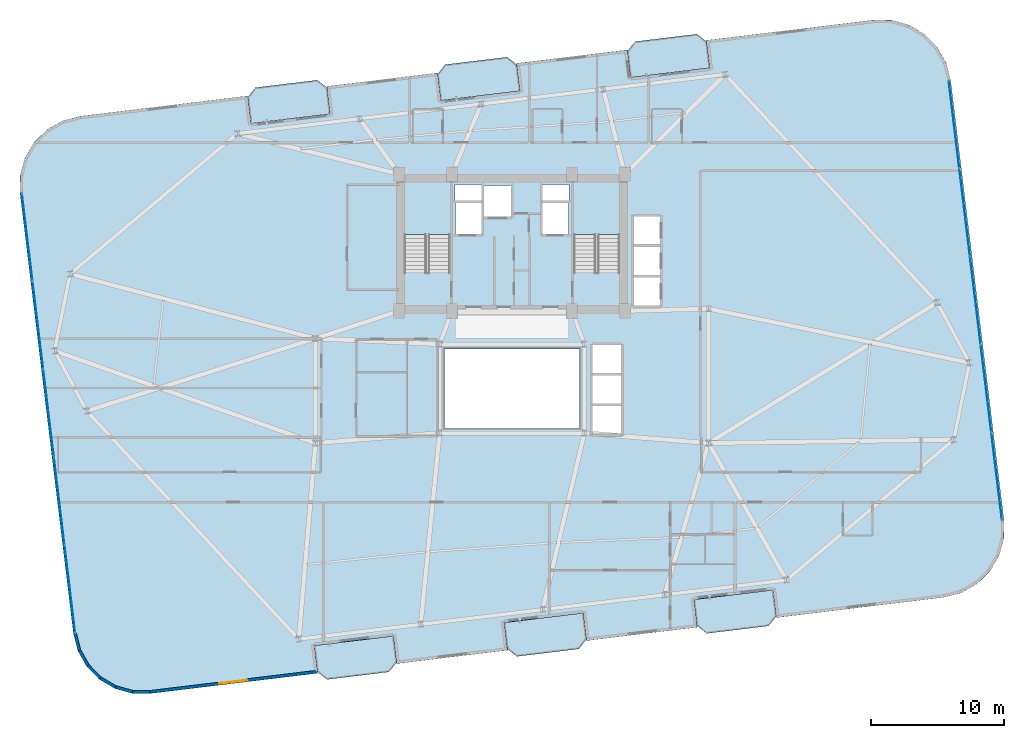
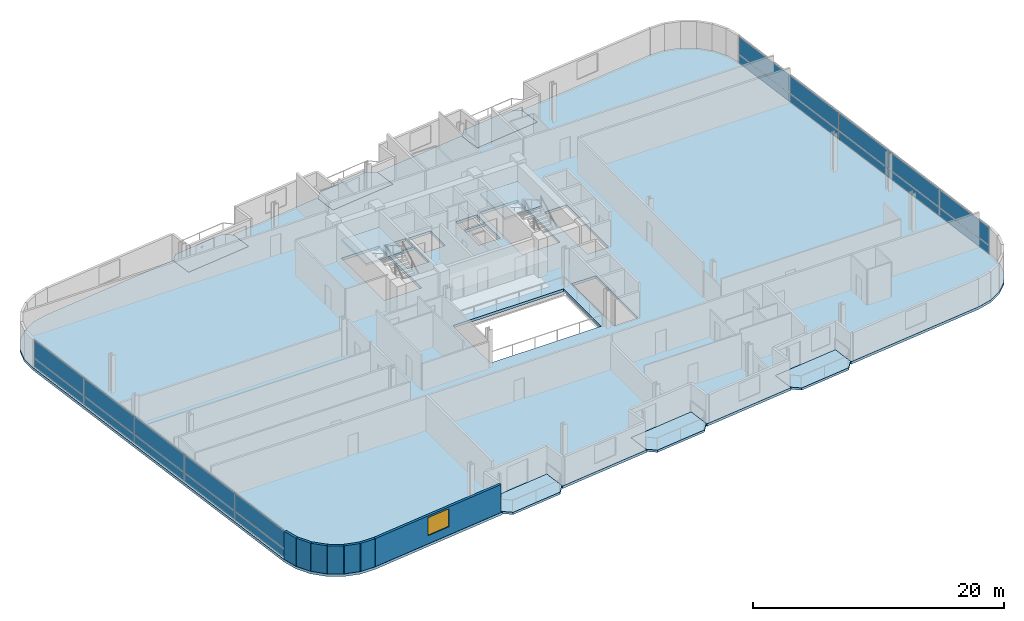
# One storey, part 13 of 22: 20 plates, 9 slabs, 7 walls, 1 window, 1 opening, 4 elements without a shape of their own.
"""IFC4 building model written with IfcOpenShell, lengths in metres."""

import ifcopenshell
import ifcopenshell.guid

model = None  # the IFC model being written
_history = None  # IfcOwnerHistory: only IFC2X3 demands one
_inside = {}  # id of a spatial element -> (the spatial element, [elements in it])
_under = {}  # id of a project, library or spatial element -> (it, [spatial elements below it])
_declared = {}  # id of a project -> (the project, [libraries it declares])
_typed = {}  # id of a type object -> (the type object, [elements of that type])
_made_of = {}  # id of a material, layer set ... -> (it, [elements and type objects made of it])


def new_model(schema):
    """Start an empty IFC model of exactly this schema.

    Asked for "IFC4X3", IfcOpenShell would pick the latest addendum, in which some entities
    have other attributes; the version numbers below select the first issue.
    IFC2X3 requires an IfcOwnerHistory on every rooted entity: one is made here for all.
    """
    global model, _history
    if schema == "IFC4X3":
        model = ifcopenshell.file(schema_version=(4, 3, 0, 0))
    else:
        model = ifcopenshell.file(schema=schema)
    _inside.clear()
    _under.clear()
    _declared.clear()
    _typed.clear()
    _made_of.clear()
    _history = None
    if model.schema == "IFC2X3":
        org = make("IfcOrganization", Name="unknown")
        user = make(
            "IfcPersonAndOrganization",
            ThePerson=make("IfcPerson", FamilyName="unknown"),
            TheOrganization=org,
        )
        app = make(
            "IfcApplication",
            ApplicationDeveloper=org,
            Version="unknown",
            ApplicationFullName="unknown",
            ApplicationIdentifier="unknown",
        )
        _history = make(
            "IfcOwnerHistory",
            OwningUser=user,
            OwningApplication=app,
            ChangeAction="ADDED",
            CreationDate=0,
        )
    return model


def make(cls, **values):
    """One entity of the class cls with the attributes given. An attribute that is None is left unset."""
    return model.create_entity(
        cls, **{name: value for name, value in values.items() if value is not None}
    )


def rooted(cls, **values):
    """An entity with a GlobalId (a new one), such as an element, a storey or a relation."""
    return make(cls, GlobalId=ifcopenshell.guid.new(), OwnerHistory=_history, **values)


def si_unit(unit_type, name, prefix=None):
    """IfcSIUnit, for example si_unit("LENGTHUNIT", "METRE", prefix="MILLI")."""
    return make("IfcSIUnit", UnitType=unit_type, Prefix=prefix, Name=name)


def assignment(units):
    """IfcUnitAssignment: the units of a project."""
    return None if units is None else make("IfcUnitAssignment", Units=units)


def point(xyz):
    """IfcCartesianPoint."""
    return None if xyz is None else make("IfcCartesianPoint", Coordinates=xyz)


def direction(xyz):
    """IfcDirection."""
    return None if xyz is None else make("IfcDirection", DirectionRatios=xyz)


def frame(location, z_axis=None, x_axis=None):
    """IfcAxis2Placement3D, a coordinate frame: its origin and axes. An axis left out is left unset."""
    return make(
        "IfcAxis2Placement3D",
        Location=point(location),
        Axis=direction(z_axis),
        RefDirection=direction(x_axis),
    )


def frame_2d(location, x_axis=None):
    """IfcAxis2Placement2D, a coordinate frame in the plane: its origin and x axis."""
    return make(
        "IfcAxis2Placement2D", Location=point(location), RefDirection=direction(x_axis)
    )


def origin():
    """The frame at (0, 0, 0) with its axes left unset."""
    return frame((0.0, 0.0, 0.0))


def origin_2d():
    """The frame at (0, 0) in the plane with its x axis left unset."""
    return frame_2d((0.0, 0.0))


def place(relative_to, where):
    """IfcLocalPlacement: puts the frame where relative to a parent placement (None: the world)."""
    return make(
        "IfcLocalPlacement", PlacementRelTo=relative_to, RelativePlacement=where
    )


def context(
    kind, dimensions, precision=None, world=None, true_north=None, identifier=None
):
    """IfcGeometricRepresentationContext, for example the 3D "Model" context."""
    return make(
        "IfcGeometricRepresentationContext",
        ContextIdentifier=identifier,
        ContextType=kind,
        CoordinateSpaceDimension=dimensions,
        Precision=precision,
        WorldCoordinateSystem=world,
        TrueNorth=true_north,
    )


def subcontext(parent, identifier, kind, view, scale=None):
    """IfcGeometricRepresentationSubContext, for example "Body" below "Model"."""
    return make(
        "IfcGeometricRepresentationSubContext",
        ContextIdentifier=identifier,
        ContextType=kind,
        ParentContext=parent,
        TargetScale=scale,
        TargetView=view,
    )


def project(units=None, contexts=None):
    """IfcProject with its units and contexts."""
    return rooted(
        "IfcProject",
        Name="project",
        RepresentationContexts=contexts,
        UnitsInContext=assignment(units),
    )


def spatial(cls, under=None, at=None, **own):
    """A site, building, storey or space (cls), placed at a placement, below another one or the project."""
    s = rooted(cls, ObjectPlacement=at, **own)
    if under is not None:
        _under.setdefault(under.id(), (under, []))[1].append(s)
    return s


def polyline(points):
    """IfcPolyline through the points."""
    return make("IfcPolyline", Points=[point(p) for p in points])


def profile(cls, at=None, kind="AREA", **sizes):
    """A parametric profile (cls). Its sizes go by their IFC names, for example OverallWidth=200.0."""
    return make(cls, ProfileType=kind, Position=at, **sizes)


def rectangle(**sizes):
    """IfcRectangleProfileDef."""
    return profile("IfcRectangleProfileDef", **sizes)


def outline(outer, holes=None, kind="AREA"):
    """IfcArbitraryClosedProfileDef: a profile drawn as a closed curve; with holes, ...WithVoids."""
    if holes is None:
        return make("IfcArbitraryClosedProfileDef", ProfileType=kind, OuterCurve=outer)
    return make(
        "IfcArbitraryProfileDefWithVoids",
        ProfileType=kind,
        OuterCurve=outer,
        InnerCurves=holes,
    )


def extrude(swept, where, along, depth):
    """IfcExtrudedAreaSolid: the profile swept, set in the frame where, extruded along a direction by depth."""
    return make(
        "IfcExtrudedAreaSolid",
        SweptArea=swept,
        Position=where,
        ExtrudedDirection=direction(along),
        Depth=depth,
    )


def shape(context_of_items, identifier, shape_type, items):
    """IfcShapeRepresentation: the items that make up one representation, for example the "Body"."""
    return make(
        "IfcShapeRepresentation",
        ContextOfItems=context_of_items,
        RepresentationIdentifier=identifier,
        RepresentationType=shape_type,
        Items=items,
    )


def source(mapping_origin, context_of_items, identifier, shape_type, items):
    """IfcRepresentationMap: a shape defined once, which mapped items show again and again."""
    return make(
        "IfcRepresentationMap",
        MappingOrigin=mapping_origin,
        MappedRepresentation=shape(context_of_items, identifier, shape_type, items),
    )


def transform(
    local_origin,
    x_axis=None,
    y_axis=None,
    z_axis=None,
    scale=None,
    scale2=None,
    scale3=None,
    uniform=True,
):
    """IfcCartesianTransformationOperator3D, or its non-uniform kind. x_axis, y_axis, z_axis: its Axis1, 2, 3."""
    if uniform:
        return make(
            "IfcCartesianTransformationOperator3D",
            Axis1=direction(x_axis),
            Axis2=direction(y_axis),
            LocalOrigin=point(local_origin),
            Scale=scale,
            Axis3=direction(z_axis),
        )
    return make(
        "IfcCartesianTransformationOperator3DnonUniform",
        Axis1=direction(x_axis),
        Axis2=direction(y_axis),
        LocalOrigin=point(local_origin),
        Scale=scale,
        Axis3=direction(z_axis),
        Scale2=scale2,
        Scale3=scale3,
    )


def mapped(mapping_source, mapping_target):
    """IfcMappedItem: shows the shape of a source again, moved by a transform."""
    return make(
        "IfcMappedItem", MappingSource=mapping_source, MappingTarget=mapping_target
    )


def material(Name=None, Category=None):
    """IfcMaterial."""
    return make("IfcMaterial", Name=Name, Category=Category)


def layer(
    of_material, thickness, ventilated=None, Name=None, Category=None, Priority=None
):
    """IfcMaterialLayer: one layer of a wall or slab, of a material (None: an air gap)."""
    return make(
        "IfcMaterialLayer",
        Material=of_material,
        LayerThickness=thickness,
        IsVentilated=ventilated,
        Name=Name,
        Category=Category,
        Priority=Priority,
    )


def layer_set(layers, Name=None):
    """IfcMaterialLayerSet."""
    return make("IfcMaterialLayerSet", MaterialLayers=layers, LayerSetName=Name)


def made_of(thing, what):
    """Note that an element or type object is made of a material, layer set ...; save() writes the relation."""
    if what is not None:
        _made_of.setdefault(what.id(), (what, []))[1].append(thing)
    return thing


def type_object(cls, material=None, **own):
    """A type object (cls), such as IfcWallType, which elements share."""
    return made_of(rooted(cls, **own), material)


def element(
    cls,
    number,
    at=None,
    inside=None,
    cuts=None,
    type_object=None,
    material=None,
    context=None,
    identifier="Body",
    shape_type=None,
    held_by="IfcProductDefinitionShape",
    body=None,
    shapes=None,
    **own,
):
    """One element of the class cls, such as IfcWall. Its Tag is "e" and its number.

    at: its placement. inside: the storey or other place that contains it. cuts: it is an
    opening in that element (IfcRelVoidsElement). A single representation is given by context,
    identifier, shape_type and body (its items); several are given by shapes. held_by: the class
    of the entity that holds the representations. save() writes the other relations.
    """
    e = rooted(cls, Tag="e%d" % number, ObjectPlacement=at, **own)
    if body is not None:
        shapes = [shape(context, identifier, shape_type, body)]
    if shapes is not None:
        e.Representation = make(held_by, Representations=shapes)
    if inside is not None:
        _inside.setdefault(inside.id(), (inside, []))[1].append(e)
    if cuts is not None:
        rooted(
            "IfcRelVoidsElement", RelatingBuildingElement=cuts, RelatedOpeningElement=e
        )
    if type_object is not None:
        _typed.setdefault(type_object.id(), (type_object, []))[1].append(e)
    return made_of(e, material)


def fill(opening, filler):
    """IfcRelFillsElement: the door or window that sits in an opening."""
    return rooted(
        "IfcRelFillsElement",
        RelatingOpeningElement=opening,
        RelatedBuildingElement=filler,
    )


def aggregate(whole, parts):
    """IfcRelAggregates: a whole, such as a stair, and the parts it consists of."""
    return rooted("IfcRelAggregates", RelatingObject=whole, RelatedObjects=parts)


def save(model, path):
    """Write the relations noted so far, then the file.

    IfcRelAggregates (storeys below a building ...), IfcRelContainedInSpatialStructure (elements
    in a storey), IfcRelDefinesByType, IfcRelAssociatesMaterial and IfcRelDeclares: one each for
    every whole, place, type object, material and project.
    """
    for whole, parts in _under.values():
        aggregate(whole, parts)
    for where, things in _inside.values():
        rooted(
            "IfcRelContainedInSpatialStructure",
            RelatedElements=things,
            RelatingStructure=where,
        )
    for kind, things in _typed.values():
        rooted("IfcRelDefinesByType", RelatedObjects=things, RelatingType=kind)
    for what, things in _made_of.values():
        rooted("IfcRelAssociatesMaterial", RelatedObjects=things, RelatingMaterial=what)
    for by, libraries in _declared.values():
        rooted("IfcRelDeclares", RelatingContext=by, RelatedDefinitions=libraries)
    model.write(path)


model = new_model("IFC4")

# Units and contexts
model_context = context("Model", 3, precision=1e-05, world=origin(), true_north=direction((0.0, 1.0)))
body_context = subcontext(model_context, "Body", "Model", "MODEL_VIEW")
ifc_project = project(units=[si_unit("LENGTHUNIT", "METRE"), si_unit("AREAUNIT", "SQUARE_METRE"), si_unit("VOLUMEUNIT", "CUBIC_METRE"), si_unit("PLANEANGLEUNIT", "RADIAN"), si_unit("MASSUNIT", "GRAM", prefix="KILO")], contexts=[model_context])

# Site, building, storey
site_placement = place(None, origin())
site = spatial("IfcSite", under=ifc_project, at=site_placement, CompositionType="ELEMENT")
building_placement = place(site_placement, origin())
building = spatial("IfcBuilding", under=site, at=building_placement, Name="Varnelok Gate Tower", CompositionType="ELEMENT")
storey_placement = place(building_placement, frame((0.0, 0.0, 185.699951171875)))
storey = spatial("IfcBuildingStorey", under=building, at=storey_placement, Name="L47", CompositionType="ELEMENT", Elevation=185.699951171875)

# Slabs
ifc_material_1 = material(Name="Concrete C45/55", Category="concrete")
ifc_layer_1 = layer(ifc_material_1, 0.219970703125)
ifc_layer_set_1 = layer_set([ifc_layer_1], Name="Concrete C45/55")
slab_type_1 = type_object("IfcSlabType", Name="SLB-BALC-220", PredefinedType="FLOOR", material=ifc_layer_set_1)
slab_1_placement = place(storey_placement, frame((0.0, 0.0, -0.219970703125)))
element("IfcSlab", 1, at=slab_1_placement, inside=storey, type_object=slab_type_1, Name="L47 South Hollow Balcony 1", PredefinedType="FLOOR", context=body_context, shape_type="SweptSolid", body=[
    extrude(outline(polyline([(24.550048828125, 1.564453125), (25.2734375, 0.997314453125), (29.939208984375, 1.56298828125), (30.50634765625, 2.28662109375), (30.265625, 4.27197265625), (24.309326171875, 3.5498046875), (24.550048828125, 1.564453125)])), origin(), (0.0, 0.0, 1.0), 0.219970703125),
])
slab_2_placement = place(storey_placement, frame((0.0, 0.0, -0.219970703125)))
element("IfcSlab", 2, at=slab_2_placement, inside=storey, type_object=slab_type_1, Name="L47 South Hollow Balcony 2", PredefinedType="FLOOR", context=body_context, shape_type="SweptSolid", body=[
    extrude(outline(polyline([(38.84521484375, 3.29736328125), (39.56884765625, 2.73046875), (44.234619140625, 3.2958984375), (44.8017578125, 4.01953125), (44.56103515625, 6.0048828125), (38.6044921875, 5.282958984375), (38.84521484375, 3.29736328125)])), origin(), (0.0, 0.0, 1.0), 0.219970703125),
])
slab_3_placement = place(storey_placement, frame((0.0, 0.0, -0.219970703125)))
element("IfcSlab", 3, at=slab_3_placement, inside=storey, type_object=slab_type_1, Name="L47 South Hollow Balcony 3", PredefinedType="FLOOR", context=body_context, shape_type="SweptSolid", body=[
    extrude(outline(polyline([(53.140625, 5.030517578125), (53.8642578125, 4.46337890625), (58.530029296875, 5.02880859375), (59.09716796875, 5.75244140625), (58.8564453125, 7.73779296875), (52.89990234375, 7.015869140625), (53.140625, 5.030517578125)])), origin(), (0.0, 0.0, 1.0), 0.219970703125),
])
slab_4_placement = place(storey_placement, frame((0.0, 0.0, -0.219970703125)))
element("IfcSlab", 4, at=slab_4_placement, inside=storey, type_object=slab_type_1, Name="L47 North Hollow Balcony 1", PredefinedType="FLOOR", context=body_context, shape_type="SweptSolid", body=[
    extrude(outline(polyline([(19.543701171875, 42.862060546875), (25.5, 43.584228515625), (25.25927734375, 45.569580078125), (24.535888671875, 46.13671875), (19.8701171875, 45.571044921875), (19.302978515625, 44.84765625), (19.543701171875, 42.862060546875)])), origin(), (0.0, 0.0, 1.0), 0.219970703125),
])
slab_5_placement = place(storey_placement, frame((0.0, 0.0, -0.219970703125)))
element("IfcSlab", 5, at=slab_5_placement, inside=storey, type_object=slab_type_1, Name="L47 North Hollow Balcony 2", PredefinedType="FLOOR", context=body_context, shape_type="SweptSolid", body=[
    extrude(outline(polyline([(33.839111328125, 44.59521484375), (39.79541015625, 45.317138671875), (39.5546875, 47.302490234375), (38.831298828125, 47.86962890625), (34.165283203125, 47.303955078125), (33.598388671875, 46.58056640625), (33.839111328125, 44.59521484375)])), origin(), (0.0, 0.0, 1.0), 0.219970703125),
])
slab_6_placement = place(storey_placement, frame((0.0, 0.0, -0.219970703125)))
element("IfcSlab", 6, at=slab_6_placement, inside=storey, type_object=slab_type_1, Name="L47 North Hollow Balcony 3", PredefinedType="FLOOR", context=body_context, shape_type="SweptSolid", body=[
    extrude(outline(polyline([(48.13427734375, 46.327880859375), (54.0908203125, 47.050048828125), (53.85009765625, 49.03564453125), (53.12646484375, 49.6025390625), (48.460693359375, 49.037109375), (47.8935546875, 48.3134765625), (48.13427734375, 46.327880859375)])), origin(), (0.0, 0.0, 1.0), 0.219970703125),
])

# Stair, slab
ifc_material_2 = material(Name="Concrete C50/60", Category="concrete")
stair_type = type_object("IfcStairType", Name="STR-CORE-1650", PredefinedType="HALF_TURN_STAIR", material=ifc_material_2)
stair_1_placement = place(storey_placement, origin())
stair_1 = element("IfcStair", 7, at=stair_1_placement, inside=storey, type_object=stair_type, Name="L47 Exit Stair ST-1", PredefinedType="HALF_TURN_STAIR")
ifc_layer_2 = layer(ifc_material_1, 0.199951171875)
ifc_layer_set_2 = layer_set([ifc_layer_2], Name="Concrete C45/55")
slab_type_2 = type_object("IfcSlabType", Name="SLB-LAND-200", PredefinedType="LANDING", material=ifc_layer_set_2)
slab_7_placement = place(storey_placement, frame((0.0, 0.0, 1.650146484375)))
slab_7 = element("IfcSlab", 8, at=slab_7_placement, type_object=slab_type_2, Name="ST-1 landing 1", PredefinedType="LANDING", context=body_context, shape_type="SweptSolid", body=[
    extrude(outline(polyline([(34.550048828125, 34.5), (34.550048828125, 38.449951171875), (31.10009765625, 38.449951171875), (31.10009765625, 34.5), (34.550048828125, 34.5)])), origin(), (0.0, 0.0, 1.0), 0.199951171875),
])
aggregate(stair_1, [slab_7])

stair_2_placement = place(storey_placement, origin())
stair_2 = element("IfcStair", 9, at=stair_2_placement, inside=storey, type_object=stair_type, Name="L47 Exit Stair ST-2", PredefinedType="HALF_TURN_STAIR")
slab_8_placement = place(storey_placement, frame((0.0, 0.0, 1.650146484375)))
slab_8 = element("IfcSlab", 10, at=slab_8_placement, type_object=slab_type_2, Name="ST-2 landing 1", PredefinedType="LANDING", context=body_context, shape_type="SweptSolid", body=[
    extrude(outline(polyline([(47.300048828125, 34.5), (47.300048828125, 38.449951171875), (43.85009765625, 38.449951171875), (43.85009765625, 34.5), (47.300048828125, 34.5)])), origin(), (0.0, 0.0, 1.0), 0.199951171875),
])
aggregate(stair_2, [slab_8])

# Slab
ifc_layer_3 = layer(ifc_material_2, 0.25)
ifc_layer_set_3 = layer_set([ifc_layer_3], Name="Concrete C50/60")
slab_type_3 = type_object("IfcSlabType", Name="SLB-TYP-250", PredefinedType="FLOOR", material=ifc_layer_set_3)
slab_9_placement = place(storey_placement, frame((0.0, 0.0, -0.25)))
element("IfcSlab", 11, at=slab_9_placement, inside=storey, type_object=slab_type_3, Name="L47 Structural Floor Slab", PredefinedType="FLOOR", context=body_context, shape_type="SweptSolid", body=[
    extrude(outline(polyline([(6.166259765625, 4.47314453125), (6.504150390625, 3.158447265625), (7.1708984375, 1.975830078125), (8.120849609375, 1.006103515625), (9.289306640625, 0.3154296875), (10.596923828125, -0.04931640625), (11.954345703125, -0.063232421875), (22.87451171875, 1.260498046875), (24.56201171875, 1.465087890625), (24.309326171875, 3.5498046875), (30.265625, 4.27197265625), (30.518310546875, 2.187255859375), (38.857421875, 3.197998046875), (38.6044921875, 5.282958984375), (44.56103515625, 6.0048828125), (44.813720703125, 3.920166015625), (53.152587890625, 4.93115234375), (52.89990234375, 7.015869140625), (58.8564453125, 7.73779296875), (59.109130859375, 5.6533203125), (60.796630859375, 5.85791015625), (71.716796875, 7.181396484375), (73.031494140625, 7.519287109375), (74.214111328125, 8.18603515625), (75.183837890625, 9.135986328125), (75.87451171875, 10.3046875), (76.2392578125, 11.612060546875), (76.253173828125, 12.969482421875), (72.233642578125, 46.126708984375), (71.895751953125, 47.441650390625), (71.229248046875, 48.6240234375), (70.279296875, 49.59375), (69.110595703125, 50.284423828125), (67.802978515625, 50.6494140625), (66.44580078125, 50.6630859375), (55.525634765625, 49.33935546875), (53.837890625, 49.134765625), (54.0908203125, 47.050048828125), (48.13427734375, 46.327880859375), (47.881591796875, 48.412841796875), (39.54248046875, 47.40185546875), (39.79541015625, 45.317138671875), (33.839111328125, 44.59521484375), (33.586181640625, 46.6796875), (25.247314453125, 45.6689453125), (25.5, 43.584228515625), (19.543701171875, 42.862060546875), (19.291015625, 44.94677734375), (17.603271484375, 44.7421875), (6.68310546875, 43.41845703125), (5.368408203125, 43.08056640625), (4.18603515625, 42.413818359375), (3.21630859375, 41.464111328125), (2.525390625, 40.29541015625), (2.16064453125, 38.98779296875), (2.146728515625, 37.630615234375), (6.166259765625, 4.47314453125)]), holes=[polyline([(34.550048828125, 31.679931640625), (34.550048828125, 38.449951171875), (31.10009765625, 38.449951171875), (31.10009765625, 31.679931640625), (34.550048828125, 31.679931640625)]), polyline([(47.300048828125, 31.679931640625), (47.300048828125, 38.449951171875), (43.85009765625, 38.449951171875), (43.85009765625, 31.679931640625), (47.300048828125, 31.679931640625)]), polyline([(34.949951171875, 34.550048828125), (36.89990234375, 34.550048828125), (36.89990234375, 36.89990234375), (34.949951171875, 36.89990234375), (34.949951171875, 34.550048828125)]), polyline([(41.5, 34.550048828125), (43.449951171875, 34.550048828125), (43.449951171875, 36.89990234375), (41.5, 36.89990234375), (41.5, 34.550048828125)]), polyline([(37.050048828125, 35.85009765625), (39.14990234375, 35.85009765625), (39.14990234375, 38.199951171875), (37.050048828125, 38.199951171875), (37.050048828125, 35.85009765625)]), polyline([(48.35009765625, 29.14990234375), (50.35009765625, 29.14990234375), (50.35009765625, 35.89990234375), (48.35009765625, 35.89990234375), (48.35009765625, 29.14990234375)]), polyline([(45.25, 19.449951171875), (47.449951171875, 19.449951171875), (47.449951171875, 26.199951171875), (45.25, 26.199951171875), (45.25, 19.449951171875)]), polyline([(34.919921875, 37.080078125), (36.89990234375, 37.080078125), (36.89990234375, 38.280029296875), (34.919921875, 38.280029296875), (34.919921875, 37.080078125)]), polyline([(41.5, 37.080078125), (43.47998046875, 37.080078125), (43.47998046875, 38.280029296875), (41.5, 38.280029296875), (41.5, 37.080078125)]), polyline([(34.10009765625, 19.89990234375), (44.300048828125, 19.89990234375), (44.300048828125, 25.89990234375), (34.10009765625, 25.89990234375), (34.10009765625, 19.89990234375)])]), origin(), (0.0, 0.0, 1.0), 0.25),
])

# Curtain wall, plates
ifc_material_3 = material(Name="Anodized Aluminum Alloy 6063-T6", Category="aluminium")
ifc_layer_4 = layer(ifc_material_3, 0.179931640625)
ifc_layer_set_4 = layer_set([ifc_layer_4], Name="Anodized Aluminum Alloy 6063-T6")
curtain_wall_type = type_object("IfcCurtainWallType", Name="CW4-RESIDENCE-VISION", PredefinedType="USERDEFINED", material=ifc_layer_set_4)
curtain_wall_1_placement = place(storey_placement, origin())
curtain_wall_1 = element("IfcCurtainWall", 12, at=curtain_wall_1_placement, inside=storey, type_object=curtain_wall_type, Name="L47 West End Vision Curtain Wall", ObjectType="UNITISED CURTAIN WALL", PredefinedType="USERDEFINED")
ifc_material_4 = material(Name="Low-E Laminated Double Glazing IGU", Category="glass")
ifc_layer_5 = layer(ifc_material_4, 0.035888671875)
ifc_layer_set_5 = layer_set([ifc_layer_5], Name="Low-E Laminated Double Glazing IGU")
plate_type = type_object("IfcPlateType", Name="CW-PNL-IGU36", PredefinedType="CURTAIN_PANEL", material=ifc_layer_set_5)
shared_shape_1 = source(origin(), body_context, "Body", "SweptSolid", [
    extrude(rectangle(XDim=6.5673828125, YDim=0.035888671875, at=origin_2d()), origin(), (0.0, 0.0, 1.0), 0.78759765625),
])
plate_1_placement = place(storey_placement, frame((5.901123046875, 7.824462890625, 0.074951171875), z_axis=(0.0, 0.0, 1.0), x_axis=(-0.120344511371, 0.992732188751, 0.0)))
plate_1 = element("IfcPlate", 13, at=plate_1_placement, type_object=plate_type, Name="CW4 panel 1.1", PredefinedType="CURTAIN_PANEL", context=body_context, shape_type="MappedRepresentation", body=[
    mapped(shared_shape_1, transform((0.0, 0.0, 0.0), scale=1.0)),
])
plate_2_placement = place(storey_placement, frame((2.68994140625, 34.31298828125, 0.074951171875), z_axis=(0.0, 0.0, 1.0), x_axis=(-0.120344511371, 0.992732188751, 0.0)))
plate_2 = element("IfcPlate", 14, at=plate_2_placement, type_object=plate_type, Name="CW4 panel 5.1", PredefinedType="CURTAIN_PANEL", context=body_context, shape_type="MappedRepresentation", body=[
    mapped(shared_shape_1, transform((0.0, 0.0, 0.0), scale=1.0)),
])

curtain_wall_2_placement = place(storey_placement, origin())
curtain_wall_2 = element("IfcCurtainWall", 15, at=curtain_wall_2_placement, inside=storey, type_object=curtain_wall_type, Name="L47 East End Vision Curtain Wall", ObjectType="UNITISED CURTAIN WALL", PredefinedType="USERDEFINED")
plate_3_placement = place(storey_placement, frame((72.4990234375, 42.775634765625, 0.074951171875), z_axis=(0.0, 0.0, 1.0), x_axis=(0.120344511371, -0.992732188751, 0.0)))
plate_3 = element("IfcPlate", 16, at=plate_3_placement, type_object=plate_type, Name="CW4 panel 1.1", PredefinedType="CURTAIN_PANEL", context=body_context, shape_type="MappedRepresentation", body=[
    mapped(shared_shape_1, transform((0.0, 0.0, 0.0), scale=1.0)),
])
plate_4_placement = place(storey_placement, frame((75.7099609375, 16.287109375, 0.074951171875), z_axis=(0.0, 0.0, 1.0), x_axis=(0.120344511371, -0.992732188751, 0.0)))
plate_4 = element("IfcPlate", 17, at=plate_4_placement, type_object=plate_type, Name="CW4 panel 5.1", PredefinedType="CURTAIN_PANEL", context=body_context, shape_type="MappedRepresentation", body=[
    mapped(shared_shape_1, transform((0.0, 0.0, 0.0), scale=1.0)),
])

# Plate
shared_shape_2 = source(origin(), body_context, "Body", "SweptSolid", [
    extrude(rectangle(XDim=6.5673828125, YDim=0.035888671875, at=origin_2d()), origin(), (0.0, 0.0, 1.0), 1.717529296875),
])
plate_5_placement = place(storey_placement, frame((5.901123046875, 7.824462890625, 0.9375), z_axis=(0.0, 0.0, 1.0), x_axis=(-0.120344511371, 0.992732188751, 0.0)))
plate_5 = element("IfcPlate", 18, at=plate_5_placement, type_object=plate_type, Name="CW4 panel 1.2", PredefinedType="CURTAIN_PANEL", context=body_context, shape_type="MappedRepresentation", body=[
    mapped(shared_shape_2, transform((0.0, 0.0, 0.0), scale=1.0)),
])

plate_6_placement = place(storey_placement, frame((2.68994140625, 34.31298828125, 0.9375), z_axis=(0.0, 0.0, 1.0), x_axis=(-0.120344511371, 0.992732188751, 0.0)))
plate_6 = element("IfcPlate", 19, at=plate_6_placement, type_object=plate_type, Name="CW4 panel 5.2", PredefinedType="CURTAIN_PANEL", context=body_context, shape_type="MappedRepresentation", body=[
    mapped(shared_shape_2, transform((0.0, 0.0, 0.0), scale=1.0)),
])

plate_7_placement = place(storey_placement, frame((72.4990234375, 42.775634765625, 0.9375), z_axis=(0.0, 0.0, 1.0), x_axis=(0.120344511371, -0.992732188751, 0.0)))
plate_7 = element("IfcPlate", 20, at=plate_7_placement, type_object=plate_type, Name="CW4 panel 1.2", PredefinedType="CURTAIN_PANEL", context=body_context, shape_type="MappedRepresentation", body=[
    mapped(shared_shape_2, transform((0.0, 0.0, 0.0), scale=1.0)),
])

plate_8_placement = place(storey_placement, frame((75.7099609375, 16.287109375, 0.9375), z_axis=(0.0, 0.0, 1.0), x_axis=(0.120344511371, -0.992732188751, 0.0)))
plate_8 = element("IfcPlate", 21, at=plate_8_placement, type_object=plate_type, Name="CW4 panel 5.2", PredefinedType="CURTAIN_PANEL", context=body_context, shape_type="MappedRepresentation", body=[
    mapped(shared_shape_2, transform((0.0, 0.0, 0.0), scale=1.0)),
])

shared_shape_3 = source(origin(), body_context, "Body", "SweptSolid", [
    extrude(rectangle(XDim=6.60498046875, YDim=0.035888671875, at=origin_2d()), origin(), (0.0, 0.0, 1.0), 0.78759765625),
])
plate_9_placement = place(storey_placement, frame((5.099365234375, 14.437255859375, 0.074951171875), z_axis=(0.0, 0.0, 1.0), x_axis=(-0.120344511371, 0.992732188751, 0.0)))
plate_9 = element("IfcPlate", 22, at=plate_9_placement, type_object=plate_type, Name="CW4 panel 2.1", PredefinedType="CURTAIN_PANEL", context=body_context, shape_type="MappedRepresentation", body=[
    mapped(shared_shape_3, transform((0.0, 0.0, 0.0), scale=1.0)),
])

plate_10_placement = place(storey_placement, frame((4.295654296875, 21.068603515625, 0.074951171875), z_axis=(0.0, 0.0, 1.0), x_axis=(-0.120344511371, 0.992732188751, 0.0)))
plate_10 = element("IfcPlate", 23, at=plate_10_placement, type_object=plate_type, Name="CW4 panel 3.1", PredefinedType="CURTAIN_PANEL", context=body_context, shape_type="MappedRepresentation", body=[
    mapped(shared_shape_3, transform((0.0, 0.0, 0.0), scale=1.0)),
])

plate_11_placement = place(storey_placement, frame((3.49169921875, 27.7001953125, 0.074951171875), z_axis=(0.0, 0.0, 1.0), x_axis=(-0.120344511371, 0.992732188751, 0.0)))
plate_11 = element("IfcPlate", 24, at=plate_11_placement, type_object=plate_type, Name="CW4 panel 4.1", PredefinedType="CURTAIN_PANEL", context=body_context, shape_type="MappedRepresentation", body=[
    mapped(shared_shape_3, transform((0.0, 0.0, 0.0), scale=1.0)),
])

plate_12_placement = place(storey_placement, frame((73.300537109375, 36.162841796875, 0.074951171875), z_axis=(0.0, 0.0, 1.0), x_axis=(0.120344511371, -0.992732188751, 0.0)))
plate_12 = element("IfcPlate", 25, at=plate_12_placement, type_object=plate_type, Name="CW4 panel 2.1", PredefinedType="CURTAIN_PANEL", context=body_context, shape_type="MappedRepresentation", body=[
    mapped(shared_shape_3, transform((0.0, 0.0, 0.0), scale=1.0)),
])

plate_13_placement = place(storey_placement, frame((74.1044921875, 29.53125, 0.074951171875), z_axis=(0.0, 0.0, 1.0), x_axis=(0.120344511371, -0.992732188751, 0.0)))
plate_13 = element("IfcPlate", 26, at=plate_13_placement, type_object=plate_type, Name="CW4 panel 3.1", PredefinedType="CURTAIN_PANEL", context=body_context, shape_type="MappedRepresentation", body=[
    mapped(shared_shape_3, transform((0.0, 0.0, 0.0), scale=1.0)),
])

plate_14_placement = place(storey_placement, frame((74.908447265625, 22.89990234375, 0.074951171875), z_axis=(0.0, 0.0, 1.0), x_axis=(0.120344511371, -0.992732188751, 0.0)))
plate_14 = element("IfcPlate", 27, at=plate_14_placement, type_object=plate_type, Name="CW4 panel 4.1", PredefinedType="CURTAIN_PANEL", context=body_context, shape_type="MappedRepresentation", body=[
    mapped(shared_shape_3, transform((0.0, 0.0, 0.0), scale=1.0)),
])

shared_shape_4 = source(origin(), body_context, "Body", "SweptSolid", [
    extrude(rectangle(XDim=6.60498046875, YDim=0.035888671875, at=origin_2d()), origin(), (0.0, 0.0, 1.0), 1.717529296875),
])
plate_15_placement = place(storey_placement, frame((5.099365234375, 14.437255859375, 0.9375), z_axis=(0.0, 0.0, 1.0), x_axis=(-0.120344511371, 0.992732188751, 0.0)))
plate_15 = element("IfcPlate", 28, at=plate_15_placement, type_object=plate_type, Name="CW4 panel 2.2", PredefinedType="CURTAIN_PANEL", context=body_context, shape_type="MappedRepresentation", body=[
    mapped(shared_shape_4, transform((0.0, 0.0, 0.0), scale=1.0)),
])

plate_16_placement = place(storey_placement, frame((4.295654296875, 21.068603515625, 0.9375), z_axis=(0.0, 0.0, 1.0), x_axis=(-0.120344511371, 0.992732188751, 0.0)))
plate_16 = element("IfcPlate", 29, at=plate_16_placement, type_object=plate_type, Name="CW4 panel 3.2", PredefinedType="CURTAIN_PANEL", context=body_context, shape_type="MappedRepresentation", body=[
    mapped(shared_shape_4, transform((0.0, 0.0, 0.0), scale=1.0)),
])

plate_17_placement = place(storey_placement, frame((3.49169921875, 27.7001953125, 0.9375), z_axis=(0.0, 0.0, 1.0), x_axis=(-0.120344511371, 0.992732188751, 0.0)))
plate_17 = element("IfcPlate", 30, at=plate_17_placement, type_object=plate_type, Name="CW4 panel 4.2", PredefinedType="CURTAIN_PANEL", context=body_context, shape_type="MappedRepresentation", body=[
    mapped(shared_shape_4, transform((0.0, 0.0, 0.0), scale=1.0)),
])

aggregate(curtain_wall_1, [plate_1, plate_5, plate_9, plate_15, plate_10, plate_16, plate_11, plate_17, plate_2, plate_6])

plate_18_placement = place(storey_placement, frame((73.300537109375, 36.162841796875, 0.9375), z_axis=(0.0, 0.0, 1.0), x_axis=(0.120344511371, -0.992732188751, 0.0)))
plate_18 = element("IfcPlate", 31, at=plate_18_placement, type_object=plate_type, Name="CW4 panel 2.2", PredefinedType="CURTAIN_PANEL", context=body_context, shape_type="MappedRepresentation", body=[
    mapped(shared_shape_4, transform((0.0, 0.0, 0.0), scale=1.0)),
])

plate_19_placement = place(storey_placement, frame((74.1044921875, 29.53125, 0.9375), z_axis=(0.0, 0.0, 1.0), x_axis=(0.120344511371, -0.992732188751, 0.0)))
plate_19 = element("IfcPlate", 32, at=plate_19_placement, type_object=plate_type, Name="CW4 panel 3.2", PredefinedType="CURTAIN_PANEL", context=body_context, shape_type="MappedRepresentation", body=[
    mapped(shared_shape_4, transform((0.0, 0.0, 0.0), scale=1.0)),
])

plate_20_placement = place(storey_placement, frame((74.908447265625, 22.89990234375, 0.9375), z_axis=(0.0, 0.0, 1.0), x_axis=(0.120344511371, -0.992732188751, 0.0)))
plate_20 = element("IfcPlate", 33, at=plate_20_placement, type_object=plate_type, Name="CW4 panel 4.2", PredefinedType="CURTAIN_PANEL", context=body_context, shape_type="MappedRepresentation", body=[
    mapped(shared_shape_4, transform((0.0, 0.0, 0.0), scale=1.0)),
])

aggregate(curtain_wall_2, [plate_3, plate_7, plate_12, plate_18, plate_13, plate_19, plate_14, plate_20, plate_4, plate_8])

# Walls
ifc_layer_6 = layer(ifc_material_1, 0.219970703125)
ifc_layer_set_6 = layer_set([ifc_layer_6], Name="Concrete C45/55")
wall_type = type_object("IfcWallType", Name="EW-BALC-220", PredefinedType="SOLIDWALL", material=ifc_layer_set_6)
wall_1_placement = place(storey_placement, frame((6.286376953125, 4.48779296875, 0.0), z_axis=(0.0, 0.0, 1.0), x_axis=(0.248942347653, -0.968518305219, 0.0)))
element("IfcWall", 34, at=wall_1_placement, inside=storey, type_object=wall_type, Name="L47 Perimeter Facade Closure Wall 1", PredefinedType="SOLIDWALL", context=body_context, shape_type="SweptSolid", body=[
    extrude(rectangle(XDim=1.325927734375, YDim=0.219970703125, at=frame_2d((0.6630859375, 0.0))), origin(), (0.0, 0.0, 1.0), 2.72998046875),
])
for number, where, z_axis, x_axis, name in (
    (35, (6.62890625, 3.181884765625, 0.0), (0.0, 0.0, 1.0), (0.490956091431, -0.871184318205, 0.0), "L47 Perimeter Facade Closure Wall 2"),
    (36, (7.28515625, 2.03076171875, 0.0), (0.0, 0.0, 1.0), (0.699844331926, -0.714295394827, 0.0), "L47 Perimeter Facade Closure Wall 3"),
    (37, (8.217041015625, 1.088623046875, 0.0), (0.0, 0.0, 1.0), (0.860885425627, -0.508798863936, 0.0), "L47 Perimeter Facade Closure Wall 4"),
):
    element("IfcWall", number, at=place(storey_placement, frame(where, z_axis=z_axis, x_axis=x_axis)), inside=storey, type_object=wall_type, Name=name, PredefinedType="SOLIDWALL", context=body_context, shape_type="SweptSolid", body=[
        extrude(rectangle(XDim=1.30078125, YDim=0.219970703125, at=frame_2d((0.650390625, 0.0))), origin(), (0.0, 0.0, 1.0), 2.72998046875),
    ])
wall_2_placement = place(storey_placement, frame((9.36083984375, 0.420166015625, 0.0), z_axis=(0.0, 0.0, 1.0), x_axis=(0.963218895288, -0.268717992997, 0.0)))
element("IfcWall", 38, at=wall_2_placement, inside=storey, type_object=wall_type, Name="L47 Perimeter Facade Closure Wall 5", PredefinedType="SOLIDWALL", context=body_context, shape_type="SweptSolid", body=[
    extrude(rectangle(XDim=1.301025390625, YDim=0.219970703125, at=frame_2d((0.650390625, 0.0))), origin(), (0.0, 0.0, 1.0), 2.72998046875),
])
wall_3_placement = place(storey_placement, frame((10.638916015625, 0.0703125, 0.0), z_axis=(0.0, 0.0, 1.0), x_axis=(0.999947377741, -0.010258740119, 0.0)))
element("IfcWall", 39, at=wall_3_placement, inside=storey, type_object=wall_type, Name="L47 Perimeter Facade Closure Wall 6", PredefinedType="SOLIDWALL", context=body_context, shape_type="SweptSolid", body=[
    extrude(rectangle(XDim=1.308837890625, YDim=0.219970703125, at=frame_2d((0.654296875, 0.0))), origin(), (0.0, 0.0, 1.0), 2.72998046875),
])

# Wall, opening, window
wall_4_placement = place(storey_placement, frame((11.972412109375, 0.059814453125, 0.0), z_axis=(0.0, 0.0, 1.0), x_axis=(0.992732021049, 0.120345894751, 0.0)))
wall_4 = element("IfcWall", 40, at=wall_4_placement, inside=storey, type_object=wall_type, Name="L47 Perimeter Facade Closure Wall 7", PredefinedType="SOLIDWALL", context=body_context, shape_type="SweptSolid", body=[
    extrude(rectangle(XDim=12.54736328125, YDim=0.219970703125, at=frame_2d((6.273681640625, 0.0))), origin(), (0.0, 0.0, 1.0), 2.72998046875),
])
opening_placement = place(wall_4_placement, frame((5.2236328125, 0.0, 0.800048828125)))
opening = element("IfcOpeningElement", 41, at=opening_placement, cuts=wall_4, Name="Opening WN4", PredefinedType="OPENING", context=body_context, shape_type="SweptSolid", body=[
    extrude(rectangle(XDim=2.10009765625, YDim=1.75, at=frame_2d((1.050048828125, 0.875))), frame((0.0, 0.119873046875, 0.0), z_axis=(0.0, -1.0, 0.0), x_axis=(1.0, 0.0, 0.0)), (0.0, 0.0, 1.0), 0.239990234375),
])
window_type = type_object("IfcWindowType", Name="WN-SUI-2100", PartitioningType="SINGLE_PANEL", PredefinedType="WINDOW", material=ifc_material_4)
window_placement = place(opening_placement, origin())
window = element("IfcWindow", 42, at=window_placement, inside=storey, type_object=window_type, Name="L47 Perimeter Vision Window 7", OverallHeight=1.75, OverallWidth=2.10009765625, PartitioningType="SINGLE_PANEL", PredefinedType="WINDOW", context=body_context, shape_type="SweptSolid", body=[
    extrude(rectangle(XDim=2.10009765625, YDim=1.75, at=frame_2d((1.050048828125, 0.875))), frame((0.0, 0.030029296875, 0.0), z_axis=(0.0, -1.0, 0.0), x_axis=(1.0, 0.0, 0.0)), (0.0, 0.0, 1.0), 0.06005859375),
])
fill(opening, window)

save(model, "model.ifc")
